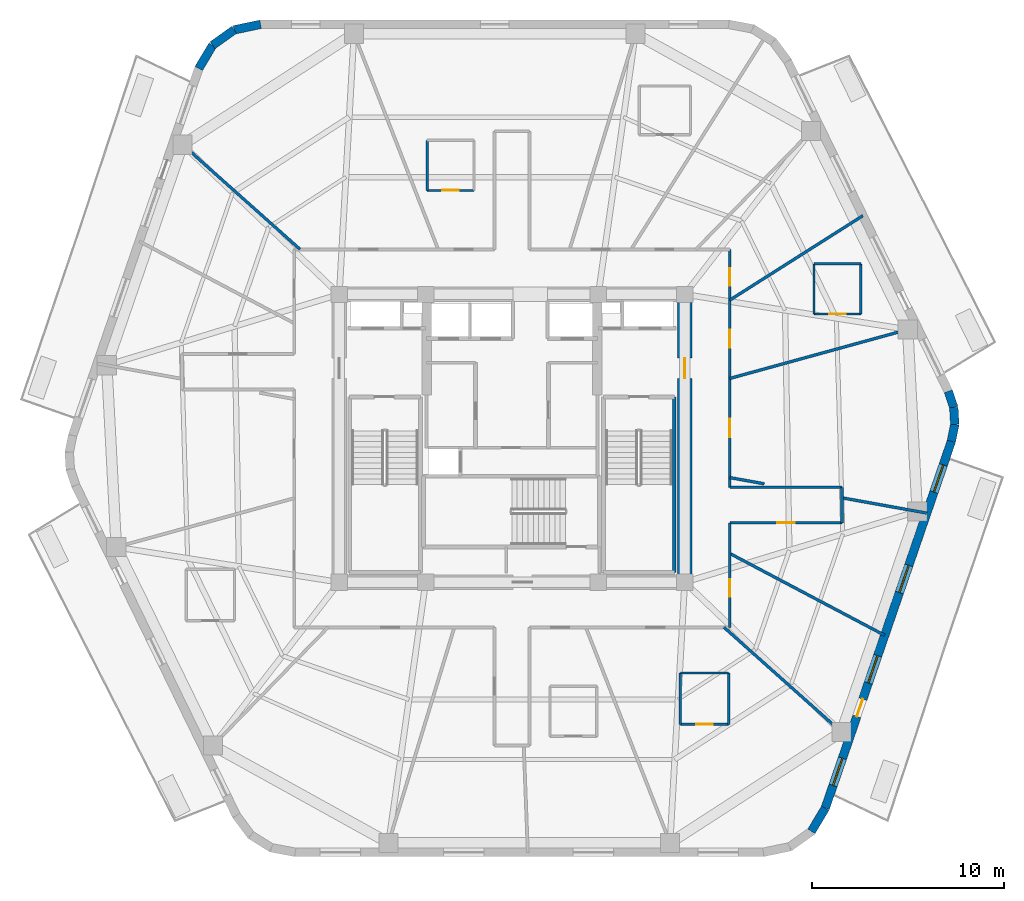
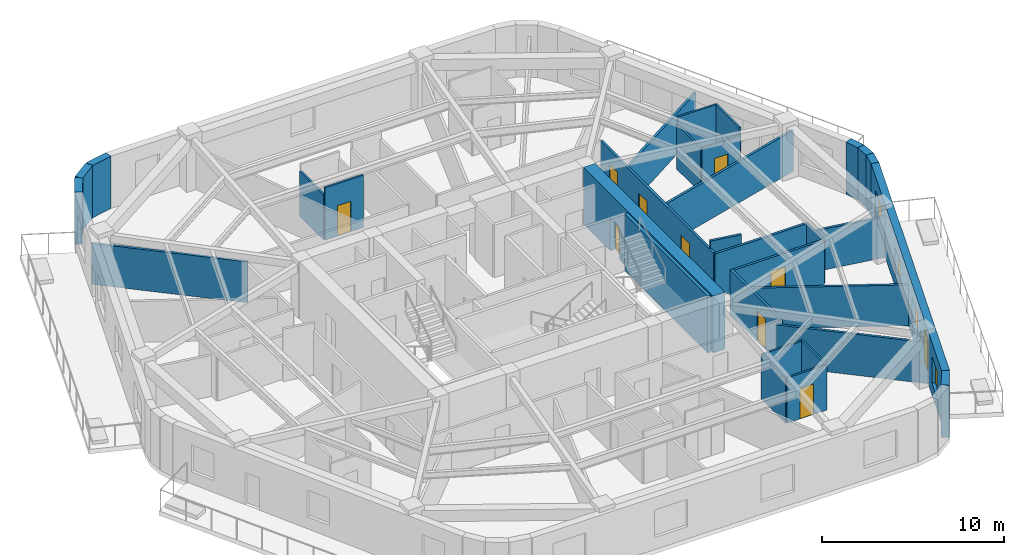
# One storey, part 5 of 9: 32 walls, 10 doors, 4 windows, 14 openings.
"""IFC4 building model written with IfcOpenShell, lengths in metres."""

from ifc_helpers import new_model, si_unit, direction, frame, frame_2d, origin, place, context, subcontext, project, spatial, rectangle, extrude, material, layer, layer_set, type_object, element, fill, save


model = new_model("IFC4")

# Units and contexts
model_context = context("Model", 3, precision=1e-05, world=origin(), true_north=direction((0.0, 1.0)))
body_context = subcontext(model_context, "Body", "Model", "MODEL_VIEW")
ifc_project = project(units=[si_unit("LENGTHUNIT", "METRE"), si_unit("AREAUNIT", "SQUARE_METRE"), si_unit("VOLUMEUNIT", "CUBIC_METRE"), si_unit("PLANEANGLEUNIT", "RADIAN"), si_unit("MASSUNIT", "GRAM", prefix="KILO")], contexts=[model_context])

# Site, building, storey
site_placement = place(None, origin())
site = spatial("IfcSite", under=ifc_project, at=site_placement, CompositionType="ELEMENT")
building_placement = place(site_placement, origin())
building = spatial("IfcBuilding", under=site, at=building_placement, Name="Kilnhurst Terrace Hotel", CompositionType="ELEMENT")
storey_placement = place(building_placement, frame((0.0, 0.0, 236.89990234375)))
storey = spatial("IfcBuildingStorey", under=building, at=storey_placement, Name="L59", CompositionType="ELEMENT", Elevation=236.89990234375)

# Walls
ifc_material_1 = material(Name="Precast concrete C40/50", Category="concrete")
ifc_layer_1 = layer(ifc_material_1, 0.449951171875, Name="Precast concrete C40/50")
ifc_layer_set_1 = layer_set([ifc_layer_1], Name="Precast concrete C40/50")
wall_type_1 = type_object("IfcWallType", Name="WL-BRK-450", PredefinedType="SOLIDWALL", material=ifc_layer_set_1)
wall_1_placement = place(storey_placement, frame((15.603515625, -20.483154296875, 0.0), z_axis=(0.0, 0.0, 1.0), x_axis=(0.512222149036, 0.858852996756, 0.0)))
element("IfcWall", 1, at=wall_1_placement, inside=storey, type_object=wall_type_1, Name="L59 Rounded Corner Brick Wall C2.3", PredefinedType="SOLIDWALL", context=body_context, shape_type="SweptSolid", body=[
    extrude(rectangle(XDim=1.406494140625, YDim=0.449951171875, at=frame_2d((0.703125, 0.0))), origin(), (0.0, 0.0, 1.0), 3.5),
])
wall_2_placement = place(storey_placement, frame((22.8984375, -0.149658203125, 0.0), z_axis=(0.0, 0.0, 1.0), x_axis=(0.199055826889, 0.979988151858, 0.0)))
element("IfcWall", 2, at=wall_2_placement, inside=storey, type_object=wall_type_1, Name="L59 Rounded Corner Brick Wall C3.1", PredefinedType="SOLIDWALL", context=body_context, shape_type="SweptSolid", body=[
    extrude(rectangle(XDim=0.89404296875, YDim=0.449951171875, at=frame_2d((0.447021484375, 0.0))), origin(), (0.0, 0.0, 1.0), 3.5),
])
wall_3_placement = place(storey_placement, frame((23.076416015625, 0.7265625, 0.0), z_axis=(0.0, 0.0, 1.0), x_axis=(-0.060805222108, 0.998149650586, 0.0)))
element("IfcWall", 3, at=wall_3_placement, inside=storey, type_object=wall_type_1, Name="L59 Rounded Corner Brick Wall C3.2", PredefinedType="SOLIDWALL", context=body_context, shape_type="SweptSolid", body=[
    extrude(rectangle(XDim=0.87939453125, YDim=0.449951171875, at=frame_2d((0.439697265625, 0.0))), origin(), (0.0, 0.0, 1.0), 3.5),
])
wall_4_placement = place(storey_placement, frame((23.02294921875, 1.604248046875, 0.0), z_axis=(0.0, 0.0, 1.0), x_axis=(-0.316801227695, 0.948491951537, 0.0)))
element("IfcWall", 4, at=wall_4_placement, inside=storey, type_object=wall_type_1, Name="L59 Rounded Corner Brick Wall C3.3", PredefinedType="SOLIDWALL", context=body_context, shape_type="SweptSolid", body=[
    extrude(rectangle(XDim=0.89404296875, YDim=0.449951171875, at=frame_2d((0.447021484375, 0.0))), origin(), (0.0, 0.0, 1.0), 3.5),
])
wall_5_placement = place(storey_placement, frame((-13.1015625, 21.574951171875, 0.0), z_axis=(0.0, 0.0, 1.0), x_axis=(-0.978757421505, -0.205021730188, 0.0)))
element("IfcWall", 5, at=wall_5_placement, inside=storey, type_object=wall_type_1, Name="L59 Rounded Corner Brick Wall C5.1", PredefinedType="SOLIDWALL", context=body_context, shape_type="SweptSolid", body=[
    extrude(rectangle(XDim=1.40625, YDim=0.449951171875, at=frame_2d((0.703125, 0.0))), origin(), (0.0, 0.0, 1.0), 3.5),
])
wall_6_placement = place(storey_placement, frame((-14.47802734375, 21.28662109375, 0.0), z_axis=(0.0, 0.0, 1.0), x_axis=(-0.813888518617, -0.58102106611, 0.0)))
element("IfcWall", 6, at=wall_6_placement, inside=storey, type_object=wall_type_1, Name="L59 Rounded Corner Brick Wall C5.2", PredefinedType="SOLIDWALL", context=body_context, shape_type="SweptSolid", body=[
    extrude(rectangle(XDim=1.3828125, YDim=0.449951171875, at=frame_2d((0.69140625, 0.0))), origin(), (0.0, 0.0, 1.0), 3.5),
])
wall_7_placement = place(storey_placement, frame((-15.603515625, 20.483154296875, 0.0), z_axis=(0.0, 0.0, 1.0), x_axis=(-0.512222149036, -0.858852996756, 0.0)))
element("IfcWall", 7, at=wall_7_placement, inside=storey, type_object=wall_type_1, Name="L59 Rounded Corner Brick Wall C5.3", PredefinedType="SOLIDWALL", context=body_context, shape_type="SweptSolid", body=[
    extrude(rectangle(XDim=1.406494140625, YDim=0.449951171875, at=frame_2d((0.703125, 0.0))), origin(), (0.0, 0.0, 1.0), 3.5),
])

# Wall, openings, door, windows
wall_8_placement = place(storey_placement, frame((16.323974609375, -19.275146484375, 0.0), z_axis=(0.0, 0.0, 1.0), x_axis=(0.325083142304, 0.945685439557, 0.0)))
wall_8 = element("IfcWall", 8, at=wall_8_placement, inside=storey, type_object=wall_type_1, Name="L59 Exterior Brick Facade Wall F2", PredefinedType="SOLIDWALL", context=body_context, shape_type="SweptSolid", body=[
    extrude(rectangle(XDim=20.223876953125, YDim=0.449951171875, at=frame_2d((10.11181640625, 0.0))), origin(), (0.0, 0.0, 1.0), 3.5),
])
opening_1_placement = place(wall_8_placement, frame((5.06201171875, 0.0, 0.0)))
opening_1 = element("IfcOpeningElement", 9, at=opening_1_placement, cuts=wall_8, Name="Opening BD-950", PredefinedType="OPENING", context=body_context, shape_type="SweptSolid", body=[
    extrude(rectangle(XDim=0.949951171875, YDim=2.14990234375, at=frame_2d((0.47509765625, 1.074951171875))), frame((0.0, 0.23486328125, 0.0), z_axis=(0.0, -1.0, 0.0), x_axis=(1.0, 0.0, 0.0)), (0.0, 0.0, 1.0), 0.469970703125),
])
opening_2_placement = place(wall_8_placement, frame((1.2529296875, 0.0, 0.800048828125)))
opening_2 = element("IfcOpeningElement", 10, at=opening_2_placement, cuts=wall_8, Name="Opening W-02", PredefinedType="OPENING", context=body_context, shape_type="SweptSolid", body=[
    extrude(rectangle(XDim=1.5, YDim=1.800048828125, at=frame_2d((0.75, 0.89990234375))), frame((0.0, 0.23486328125, 0.0), z_axis=(0.0, -1.0, 0.0), x_axis=(1.0, 0.0, 0.0)), (0.0, 0.0, 1.0), 0.469970703125),
])
opening_3_placement = place(wall_8_placement, frame((6.904052734375, 0.0, 0.800048828125)))
opening_3 = element("IfcOpeningElement", 11, at=opening_3_placement, cuts=wall_8, Name="Opening W-02", PredefinedType="OPENING", context=body_context, shape_type="SweptSolid", body=[
    extrude(rectangle(XDim=1.5, YDim=1.800048828125, at=frame_2d((0.75, 0.89990234375))), frame((0.0, 0.23486328125, 0.0), z_axis=(0.0, -1.0, 0.0), x_axis=(1.0, 0.0, 0.0)), (0.0, 0.0, 1.0), 0.469970703125),
])
opening_4_placement = place(wall_8_placement, frame((11.885009765625, 0.0, 0.800048828125)))
opening_4 = element("IfcOpeningElement", 12, at=opening_4_placement, cuts=wall_8, Name="Opening W-02", PredefinedType="OPENING", context=body_context, shape_type="SweptSolid", body=[
    extrude(rectangle(XDim=1.5, YDim=1.800048828125, at=frame_2d((0.75, 0.89990234375))), frame((0.0, 0.23486328125, 0.0), z_axis=(0.0, -1.0, 0.0), x_axis=(1.0, 0.0, 0.0)), (0.0, 0.0, 1.0), 0.469970703125),
])
opening_5_placement = place(wall_8_placement, frame((17.41796875, 0.0, 0.800048828125)))
opening_5 = element("IfcOpeningElement", 13, at=opening_5_placement, cuts=wall_8, Name="Opening W-02", PredefinedType="OPENING", context=body_context, shape_type="SweptSolid", body=[
    extrude(rectangle(XDim=1.5, YDim=1.800048828125, at=frame_2d((0.75, 0.89990234375))), frame((0.0, 0.23486328125, 0.0), z_axis=(0.0, -1.0, 0.0), x_axis=(1.0, 0.0, 0.0)), (0.0, 0.0, 1.0), 0.469970703125),
])
ifc_material_2 = material(Name="Thermally Broken Bronze Aluminium Alloy 6063-T6 and Laminated Glass", Category="aluminium")
door_type_1 = type_object("IfcDoorType", Name="DR-EXT-BAL-950", OperationType="NOTDEFINED", PredefinedType="DOOR", material=ifc_material_2)
door_1_placement = place(opening_1_placement, origin())
door_1 = element("IfcDoor", 14, at=door_1_placement, inside=storey, type_object=door_type_1, Name="L59 Planted Balcony Door BAL-L1A", OperationType="SINGLE_SWING_RIGHT", OverallHeight=2.14990234375, OverallWidth=0.949951171875, PredefinedType="DOOR", context=body_context, shape_type="SweptSolid", body=[
    extrude(rectangle(XDim=0.949951171875, YDim=2.14990234375, at=frame_2d((0.47509765625, 1.074951171875))), frame((0.0, 0.02490234375, 0.0), z_axis=(0.0, -1.0, 0.0), x_axis=(1.0, 0.0, 0.0)), (0.0, 0.0, 1.0), 0.050048828125),
])
fill(opening_1, door_1)
ifc_material_3 = material(Name="Thermally Broken Bronze Aluminium Alloy 6063-T6 and Low-E Glass", Category="aluminium")
window_type = type_object("IfcWindowType", Name="WIN-1500X1800", PartitioningType="SINGLE_PANEL", PredefinedType="WINDOW", material=ifc_material_3)
window_1_placement = place(opening_2_placement, origin())
window_1 = element("IfcWindow", 15, at=window_1_placement, inside=storey, type_object=window_type, Name="L59 Deep-Set Masonry Window F2.1", OverallHeight=1.800048828125, OverallWidth=1.5, PartitioningType="SINGLE_PANEL", PredefinedType="WINDOW", context=body_context, shape_type="SweptSolid", body=[
    extrude(rectangle(XDim=1.5, YDim=1.800048828125, at=frame_2d((0.75, 0.89990234375))), frame((0.0, 0.030029296875, 0.0), z_axis=(0.0, -1.0, 0.0), x_axis=(1.0, 0.0, 0.0)), (0.0, 0.0, 1.0), 0.06005859375),
])
fill(opening_2, window_1)
window_2_placement = place(opening_3_placement, origin())
window_2 = element("IfcWindow", 16, at=window_2_placement, inside=storey, type_object=window_type, Name="L59 Deep-Set Masonry Window F2.2", OverallHeight=1.800048828125, OverallWidth=1.5, PartitioningType="SINGLE_PANEL", PredefinedType="WINDOW", context=body_context, shape_type="SweptSolid", body=[
    extrude(rectangle(XDim=1.5, YDim=1.800048828125, at=frame_2d((0.75, 0.89990234375))), frame((0.0, 0.030029296875, 0.0), z_axis=(0.0, -1.0, 0.0), x_axis=(1.0, 0.0, 0.0)), (0.0, 0.0, 1.0), 0.06005859375),
])
fill(opening_3, window_2)
window_3_placement = place(opening_4_placement, origin())
window_3 = element("IfcWindow", 17, at=window_3_placement, inside=storey, type_object=window_type, Name="L59 Deep-Set Masonry Window F2.3", OverallHeight=1.800048828125, OverallWidth=1.5, PartitioningType="SINGLE_PANEL", PredefinedType="WINDOW", context=body_context, shape_type="SweptSolid", body=[
    extrude(rectangle(XDim=1.5, YDim=1.800048828125, at=frame_2d((0.75, 0.89990234375))), frame((0.0, 0.030029296875, 0.0), z_axis=(0.0, -1.0, 0.0), x_axis=(1.0, 0.0, 0.0)), (0.0, 0.0, 1.0), 0.06005859375),
])
fill(opening_4, window_3)
window_4_placement = place(opening_5_placement, origin())
window_4 = element("IfcWindow", 18, at=window_4_placement, inside=storey, type_object=window_type, Name="L59 Deep-Set Masonry Window F2.4", OverallHeight=1.800048828125, OverallWidth=1.5, PartitioningType="SINGLE_PANEL", PredefinedType="WINDOW", context=body_context, shape_type="SweptSolid", body=[
    extrude(rectangle(XDim=1.5, YDim=1.800048828125, at=frame_2d((0.75, 0.89990234375))), frame((0.0, 0.030029296875, 0.0), z_axis=(0.0, -1.0, 0.0), x_axis=(1.0, 0.0, 0.0)), (0.0, 0.0, 1.0), 0.06005859375),
])
fill(opening_5, window_4)

# Wall, openings, doors
ifc_material_4 = material(Name="Acoustic Double-Gypsum Corridor Partition Assembly")
ifc_layer_2 = layer(ifc_material_4, 0.14990234375, Name="Acoustic Double-Gypsum Corridor Partition Assembly")
ifc_layer_set_2 = layer_set([ifc_layer_2], Name="Acoustic Double-Gypsum Corridor Partition Assembly")
wall_type_2 = type_object("IfcWallType", Name="WL-COR-150", PredefinedType="PARTITIONING", material=ifc_layer_set_2)
wall_9_placement = place(storey_placement, frame((11.35009765625, 9.85009765625, 0.0), z_axis=(0.0, 0.0, 1.0), x_axis=(0.0, -1.0, 0.0)))
wall_9 = element("IfcWall", 19, at=wall_9_placement, inside=storey, type_object=wall_type_2, Name="L59 Interior Wall WL-L59-COR-11", PredefinedType="PARTITIONING", context=body_context, shape_type="SweptSolid", body=[
    extrude(rectangle(XDim=12.400146484375, YDim=0.14990234375, at=frame_2d((6.2001953125, 0.0))), origin(), (0.0, 0.0, 1.0), 2.989990234375),
])
opening_6_placement = place(wall_9_placement, frame((4.19091796875, 0.0, 0.0)))
opening_6 = element("IfcOpeningElement", 20, at=opening_6_placement, cuts=wall_9, Name="Opening D-60B", PredefinedType="OPENING", context=body_context, shape_type="SweptSolid", body=[
    extrude(rectangle(XDim=0.949951171875, YDim=2.030029296875, at=frame_2d((0.47509765625, 1.01513671875))), frame((0.0, 0.0849609375, 0.0), z_axis=(0.0, -1.0, 0.0), x_axis=(1.0, 0.0, 0.0)), (0.0, 0.0, 1.0), 0.169921875),
])
opening_7_placement = place(wall_9_placement, frame((0.993896484375, 0.0, 0.0)))
opening_7 = element("IfcOpeningElement", 21, at=opening_7_placement, cuts=wall_9, Name="Opening D-60C", PredefinedType="OPENING", context=body_context, shape_type="SweptSolid", body=[
    extrude(rectangle(XDim=0.89990234375, YDim=2.030029296875, at=frame_2d((0.449951171875, 1.01513671875))), frame((0.0, 0.0849609375, 0.0), z_axis=(0.0, -1.0, 0.0), x_axis=(1.0, 0.0, 0.0)), (0.0, 0.0, 1.0), 0.169921875),
])
opening_8_placement = place(wall_9_placement, frame((8.8349609375, 0.0, 0.0)))
opening_8 = element("IfcOpeningElement", 22, at=opening_8_placement, cuts=wall_9, Name="Opening D-60B", PredefinedType="OPENING", context=body_context, shape_type="SweptSolid", body=[
    extrude(rectangle(XDim=0.949951171875, YDim=2.030029296875, at=frame_2d((0.47509765625, 1.01513671875))), frame((0.0, 0.0849609375, 0.0), z_axis=(0.0, -1.0, 0.0), x_axis=(1.0, 0.0, 0.0)), (0.0, 0.0, 1.0), 0.169921875),
])
ifc_material_5 = material(Name="Painted Solid-Core Service Fire Door")
door_type_2 = type_object("IfcDoorType", Name="DR-FD60-900", OperationType="NOTDEFINED", PredefinedType="DOOR", material=ifc_material_5)
door_2_placement = place(opening_7_placement, origin())
door_2 = element("IfcDoor", 23, at=door_2_placement, inside=storey, type_object=door_type_2, Name="L59 Private Study Salon Door 2", OperationType="SINGLE_SWING_RIGHT", OverallHeight=2.030029296875, OverallWidth=0.89990234375, PredefinedType="DOOR", context=body_context, shape_type="SweptSolid", body=[
    extrude(rectangle(XDim=0.89990234375, YDim=2.030029296875, at=frame_2d((0.449951171875, 1.01513671875))), frame((0.0, 0.02490234375, 0.0), z_axis=(0.0, -1.0, 0.0), x_axis=(1.0, 0.0, 0.0)), (0.0, 0.0, 1.0), 0.050048828125),
])
fill(opening_7, door_2)
ifc_material_6 = material(Name="Acoustic Walnut Veneer Solid-Core Fire Door")
door_type_3 = type_object("IfcDoorType", Name="DR-FD60-950", OperationType="NOTDEFINED", PredefinedType="DOOR", material=ifc_material_6)
door_3_placement = place(opening_6_placement, origin())
door_3 = element("IfcDoor", 24, at=door_3_placement, inside=storey, type_object=door_type_3, Name="L59 Guest Room Entry Door 1", OperationType="SINGLE_SWING_LEFT", OverallHeight=2.030029296875, OverallWidth=0.949951171875, PredefinedType="DOOR", context=body_context, shape_type="SweptSolid", body=[
    extrude(rectangle(XDim=0.949951171875, YDim=2.030029296875, at=frame_2d((0.47509765625, 1.01513671875))), frame((0.0, 0.02490234375, 0.0), z_axis=(0.0, -1.0, 0.0), x_axis=(1.0, 0.0, 0.0)), (0.0, 0.0, 1.0), 0.050048828125),
])
fill(opening_6, door_3)
door_4_placement = place(opening_8_placement, origin())
door_4 = element("IfcDoor", 25, at=door_4_placement, inside=storey, type_object=door_type_3, Name="L59 Wellness Spa Room Door", OperationType="SINGLE_SWING_LEFT", OverallHeight=2.030029296875, OverallWidth=0.949951171875, PredefinedType="DOOR", context=body_context, shape_type="SweptSolid", body=[
    extrude(rectangle(XDim=0.949951171875, YDim=2.030029296875, at=frame_2d((0.47509765625, 1.01513671875))), frame((0.0, 0.02490234375, 0.0), z_axis=(0.0, -1.0, 0.0), x_axis=(1.0, 0.0, 0.0)), (0.0, 0.0, 1.0), 0.050048828125),
])
fill(opening_8, door_4)

# Walls
wall_10_placement = place(storey_placement, frame((11.35009765625, -2.550048828125, 0.0), z_axis=(0.0, 0.0, 1.0), x_axis=(1.0, 0.0, 0.0)))
element("IfcWall", 26, at=wall_10_placement, inside=storey, type_object=wall_type_2, Name="L59 Interior Wall WL-L59-COR-12", PredefinedType="PARTITIONING", context=body_context, shape_type="SweptSolid", body=[
    extrude(rectangle(XDim=5.849853515625, YDim=0.14990234375, at=frame_2d((2.9248046875, 0.0))), origin(), (0.0, 0.0, 1.0), 2.940673828125),
])
wall_11_placement = place(storey_placement, frame((17.199951171875, -2.550048828125, 0.0), z_axis=(0.0, 0.0, 1.0), x_axis=(0.0, -1.0, 0.0)))
element("IfcWall", 27, at=wall_11_placement, inside=storey, type_object=wall_type_2, Name="L59 Interior Wall WL-L59-COR-13", PredefinedType="PARTITIONING", context=body_context, shape_type="SweptSolid", body=[
    extrude(rectangle(XDim=1.849853515625, YDim=0.14990234375, at=frame_2d((0.9248046875, 0.0))), origin(), (0.0, 0.0, 1.0), 2.940673828125),
])

# Wall, opening, door
wall_12_placement = place(storey_placement, frame((17.199951171875, -4.39990234375, 0.0), z_axis=(0.0, 0.0, 1.0), x_axis=(-1.0, 0.0, 0.0)))
wall_12 = element("IfcWall", 28, at=wall_12_placement, inside=storey, type_object=wall_type_2, Name="L59 Interior Wall WL-L59-COR-14", PredefinedType="PARTITIONING", context=body_context, shape_type="SweptSolid", body=[
    extrude(rectangle(XDim=5.849853515625, YDim=0.14990234375, at=frame_2d((2.9248046875, 0.0))), origin(), (0.0, 0.0, 1.0), 2.940673828125),
])
opening_9_placement = place(wall_12_placement, frame((2.47509765625, 0.0, 0.0)))
opening_9 = element("IfcOpeningElement", 29, at=opening_9_placement, cuts=wall_12, Name="Opening D-60C", PredefinedType="OPENING", context=body_context, shape_type="SweptSolid", body=[
    extrude(rectangle(XDim=0.89990234375, YDim=2.030029296875, at=frame_2d((0.449951171875, 1.01513671875))), frame((0.0, 0.0849609375, 0.0), z_axis=(0.0, -1.0, 0.0), x_axis=(1.0, 0.0, 0.0)), (0.0, 0.0, 1.0), 0.169921875),
])
door_5_placement = place(opening_9_placement, origin())
door_5 = element("IfcDoor", 30, at=door_5_placement, inside=storey, type_object=door_type_2, Name="L59 Executive Work Office Door 16", OperationType="SINGLE_SWING_RIGHT", OverallHeight=2.030029296875, OverallWidth=0.89990234375, PredefinedType="DOOR", context=body_context, shape_type="SweptSolid", body=[
    extrude(rectangle(XDim=0.89990234375, YDim=2.030029296875, at=frame_2d((0.449951171875, 1.01513671875))), frame((0.0, 0.02490234375, 0.0), z_axis=(0.0, -1.0, 0.0), x_axis=(1.0, 0.0, 0.0)), (0.0, 0.0, 1.0), 0.050048828125),
])
fill(opening_9, door_5)

wall_13_placement = place(storey_placement, frame((11.35009765625, -4.39990234375, 0.0), z_axis=(0.0, 0.0, 1.0), x_axis=(0.0, -1.0, 0.0)))
wall_13 = element("IfcWall", 31, at=wall_13_placement, inside=storey, type_object=wall_type_2, Name="L59 Interior Wall WL-L59-COR-15", PredefinedType="PARTITIONING", context=body_context, shape_type="SweptSolid", body=[
    extrude(rectangle(XDim=5.4501953125, YDim=0.14990234375, at=frame_2d((2.72509765625, 0.0))), origin(), (0.0, 0.0, 1.0), 2.989990234375),
])
opening_10_placement = place(wall_13_placement, frame((2.955078125, 0.0, 0.0)))
opening_10 = element("IfcOpeningElement", 32, at=opening_10_placement, cuts=wall_13, Name="Opening D-60C", PredefinedType="OPENING", context=body_context, shape_type="SweptSolid", body=[
    extrude(rectangle(XDim=0.89990234375, YDim=2.030029296875, at=frame_2d((0.449951171875, 1.01513671875))), frame((0.0, 0.0849609375, 0.0), z_axis=(0.0, -1.0, 0.0), x_axis=(1.0, 0.0, 0.0)), (0.0, 0.0, 1.0), 0.169921875),
])
door_6_placement = place(opening_10_placement, origin())
door_6 = element("IfcDoor", 33, at=door_6_placement, inside=storey, type_object=door_type_2, Name="L59 Private Tasting Dining Room Door 15", OperationType="SINGLE_SWING_LEFT", OverallHeight=2.030029296875, OverallWidth=0.89990234375, PredefinedType="DOOR", context=body_context, shape_type="SweptSolid", body=[
    extrude(rectangle(XDim=0.89990234375, YDim=2.030029296875, at=frame_2d((0.449951171875, 1.01513671875))), frame((0.0, 0.02490234375, 0.0), z_axis=(0.0, -1.0, 0.0), x_axis=(1.0, 0.0, 0.0)), (0.0, 0.0, 1.0), 0.050048828125),
])
fill(opening_10, door_6)

ifc_material_7 = material(Name="Concrete C60/75", Category="concrete")
ifc_layer_3 = layer(ifc_material_7, 0.75, Name="Concrete C60/75")
ifc_layer_set_3 = layer_set([ifc_layer_3], Name="Concrete C60/75")
wall_type_3 = type_object("IfcWallType", Name="WL-CORE-750", PredefinedType="SHEAR", material=ifc_layer_set_3)
wall_14_placement = place(storey_placement, frame((9.0, -7.125, 0.0), z_axis=(0.0, 0.0, 1.0), x_axis=(0.0, 1.0, 0.0)))
wall_14 = element("IfcWall", 34, at=wall_14_placement, inside=storey, type_object=wall_type_3, Name="L59 Core East Shear Wall", PredefinedType="SHEAR", context=body_context, shape_type="SweptSolid", body=[
    extrude(rectangle(XDim=14.25, YDim=0.75, at=frame_2d((7.125, 0.0))), origin(), (0.0, 0.0, 1.0), 3.800048828125),
])
opening_11_placement = place(wall_14_placement, frame((10.25, 0.0, 0.0)))
opening_11 = element("IfcOpeningElement", 35, at=opening_11_placement, cuts=wall_14, Name="Opening D-90A", PredefinedType="OPENING", context=body_context, shape_type="SweptSolid", body=[
    extrude(rectangle(XDim=1.050048828125, YDim=2.14990234375, at=frame_2d((0.52490234375, 1.074951171875))), frame((0.0, 0.385009765625, 0.0), z_axis=(0.0, -1.0, 0.0), x_axis=(1.0, 0.0, 0.0)), (0.0, 0.0, 1.0), 0.77001953125),
])
ifc_material_8 = material(Name="Painted Hollow Metal Steel ASTM A36 Fire Door", Category="steel")
door_type_4 = type_object("IfcDoorType", Name="DR-FD90-1050", OperationType="NOTDEFINED", PredefinedType="DOOR", material=ifc_material_8)
door_7_placement = place(opening_11_placement, origin())
door_7 = element("IfcDoor", 36, at=door_7_placement, inside=storey, type_object=door_type_4, Name="L59 East Firefighting Lobby Door", OperationType="SINGLE_SWING_LEFT", OverallHeight=2.14990234375, OverallWidth=1.050048828125, PredefinedType="DOOR", context=body_context, shape_type="SweptSolid", body=[
    extrude(rectangle(XDim=1.050048828125, YDim=2.14990234375, at=frame_2d((0.52490234375, 1.074951171875))), frame((0.0, 0.02490234375, 0.0), z_axis=(0.0, -1.0, 0.0), x_axis=(1.0, 0.0, 0.0)), (0.0, 0.0, 1.0), 0.050048828125),
])
fill(opening_11, door_7)

# Walls
ifc_material_9 = material(Name="STC-58 Acoustic Twin-Frame Guestroom Demising Partition")
ifc_layer_4 = layer(ifc_material_9, 0.14990234375, Name="STC-58 Acoustic Twin-Frame Guestroom Demising Partition")
ifc_layer_set_4 = layer_set([ifc_layer_4], Name="STC-58 Acoustic Twin-Frame Guestroom Demising Partition")
wall_type_4 = type_object("IfcWallType", Name="WL-DEM-150", PredefinedType="PARTITIONING", material=ifc_layer_set_4)
wall_15_placement = place(storey_placement, frame((11.35009765625, 3.12060546875, 0.0), z_axis=(0.0, 0.0, 1.0), x_axis=(0.964212793822, 0.265129568758, 0.0)))
element("IfcWall", 37, at=wall_15_placement, inside=storey, type_object=wall_type_4, Name="L59 Interior Wall WL-L59-DEM-COL01-01-1", PredefinedType="PARTITIONING", context=body_context, shape_type="SweptSolid", body=[
    extrude(rectangle(XDim=10.119873046875, YDim=0.14990234375, at=frame_2d((5.06005859375, 0.0))), origin(), (0.0, 0.0, 1.0), 2.739990234375),
])
wall_16_placement = place(storey_placement, frame((11.35009765625, 7.2021484375, 0.0), z_axis=(0.0, 0.0, 1.0), x_axis=(0.844364592263, 0.535769013039, 0.0)))
element("IfcWall", 38, at=wall_16_placement, inside=storey, type_object=wall_type_4, Name="L59 Interior Wall WL-L59-DEM-MID01-02-1", PredefinedType="PARTITIONING", context=body_context, shape_type="SweptSolid", body=[
    extrude(rectangle(XDim=8.212646484375, YDim=0.14990234375, at=frame_2d((4.1064453125, 0.0))), origin(), (0.0, 0.0, 1.0), 2.739990234375),
])
for number, where, z_axis, x_axis, name in (
    (39, (-11.04833984375, 9.85009765625, 0.0), (0.0, 0.0, 1.0), (-0.746444434655, 0.665447748492, 0.0), "L59 Interior Wall WL-L59-DEM-COL05-07-1"),
    (40, (11.04833984375, -9.85009765625, 0.0), (0.0, 0.0, 1.0), (0.746444434655, -0.665447748492, 0.0), "L59 Interior Wall WL-L59-DEM-COL11-15-1"),
):
    element("IfcWall", number, at=place(storey_placement, frame(where, z_axis=z_axis, x_axis=x_axis)), inside=storey, type_object=wall_type_4, Name=name, PredefinedType="PARTITIONING", context=body_context, shape_type="SweptSolid", body=[
        extrude(rectangle(XDim=8.732177734375, YDim=0.14990234375, at=frame_2d((4.3662109375, 0.0))), origin(), (0.0, 0.0, 1.0), 2.739990234375),
    ])
wall_17_placement = place(storey_placement, frame((11.35009765625, -5.9990234375, 0.0), z_axis=(0.0, 0.0, 1.0), x_axis=(0.884112301724, -0.467274478161, 0.0)))
element("IfcWall", 41, at=wall_17_placement, inside=storey, type_object=wall_type_4, Name="L59 Interior Wall WL-L59-DEM-MID11-16-1", PredefinedType="PARTITIONING", context=body_context, shape_type="SweptSolid", body=[
    extrude(rectangle(XDim=9.129150390625, YDim=0.14990234375, at=frame_2d((4.564453125, 0.0))), origin(), (0.0, 0.0, 1.0), 2.739990234375),
])
wall_18_placement = place(storey_placement, frame((11.35009765625, -2.046142578125, 0.0), z_axis=(0.0, 0.0, 1.0), x_axis=(0.984127783205, -0.177461281195, 0.0)))
element("IfcWall", 42, at=wall_18_placement, inside=storey, type_object=wall_type_4, Name="L59 Interior Wall WL-L59-DEM-COL12-17-1", PredefinedType="PARTITIONING", context=body_context, shape_type="SweptSolid", body=[
    extrude(rectangle(XDim=1.82568359375, YDim=0.14990234375, at=frame_2d((0.912841796875, 0.0))), origin(), (0.0, 0.0, 1.0), 3.5),
])
wall_19_placement = place(storey_placement, frame((17.199951171875, -3.1005859375, 0.0), z_axis=(0.0, 0.0, 1.0), x_axis=(0.98413465883, -0.177423147559, 0.0)))
element("IfcWall", 43, at=wall_19_placement, inside=storey, type_object=wall_type_4, Name="L59 Interior Wall WL-L59-DEM-COL12-17-2", PredefinedType="PARTITIONING", context=body_context, shape_type="SweptSolid", body=[
    extrude(rectangle(XDim=4.481689453125, YDim=0.14990234375, at=frame_2d((2.24072265625, 0.0))), origin(), (0.0, 0.0, 1.0), 2.739990234375),
])

# Wall, opening, door
ifc_material_10 = material(Name="120 mm Moisture-Resistant Tile-Backed Bathroom Partition")
ifc_layer_5 = layer(ifc_material_10, 0.1201171875, Name="120 mm Moisture-Resistant Tile-Backed Bathroom Partition")
ifc_layer_set_5 = layer_set([ifc_layer_5], Name="120 mm Moisture-Resistant Tile-Backed Bathroom Partition")
wall_type_5 = type_object("IfcWallType", Name="WL-PART-120", PredefinedType="PARTITIONING", material=ifc_layer_set_5)
wall_20_placement = place(storey_placement, frame((15.736083984375, 6.47998046875, 0.0), z_axis=(0.0, 0.0, 1.0), x_axis=(1.0, 0.0, 0.0)))
wall_20 = element("IfcWall", 44, at=wall_20_placement, inside=storey, type_object=wall_type_5, Name="L59 Interior Wall WL-L59-BTH-01-1", PredefinedType="PARTITIONING", context=body_context, shape_type="SweptSolid", body=[
    extrude(rectangle(XDim=2.43994140625, YDim=0.1201171875, at=frame_2d((1.219970703125, 0.0))), origin(), (0.0, 0.0, 1.0), 2.989990234375),
])
opening_12_placement = place(wall_20_placement, frame((0.794921875, 0.0, 0.0)))
opening_12 = element("IfcOpeningElement", 45, at=opening_12_placement, cuts=wall_20, Name="Opening D-08A", PredefinedType="OPENING", context=body_context, shape_type="SweptSolid", body=[
    extrude(rectangle(XDim=0.85009765625, YDim=2.030029296875, at=frame_2d((0.425048828125, 1.01513671875))), frame((0.0, 0.070068359375, 0.0), z_axis=(0.0, -1.0, 0.0), x_axis=(1.0, 0.0, 0.0)), (0.0, 0.0, 1.0), 0.14013671875),
])
ifc_material_11 = material(Name="Moisture-Resistant Lacquered En-suite Bathroom Door")
door_type_5 = type_object("IfcDoorType", Name="DR-INT-850", OperationType="NOTDEFINED", PredefinedType="DOOR", material=ifc_material_11)
door_8_placement = place(opening_12_placement, origin())
door_8 = element("IfcDoor", 46, at=door_8_placement, inside=storey, type_object=door_type_5, Name="L59 En-suite Bathroom Door 1", OperationType="SINGLE_SWING_RIGHT", OverallHeight=2.030029296875, OverallWidth=0.85009765625, PredefinedType="DOOR", context=body_context, shape_type="SweptSolid", body=[
    extrude(rectangle(XDim=0.85009765625, YDim=2.030029296875, at=frame_2d((0.425048828125, 1.01513671875))), frame((0.0, 0.02490234375, 0.0), z_axis=(0.0, -1.0, 0.0), x_axis=(1.0, 0.0, 0.0)), (0.0, 0.0, 1.0), 0.050048828125),
])
fill(opening_12, door_8)

# Walls
wall_21_placement = place(storey_placement, frame((18.176025390625, 6.47998046875, 0.0), z_axis=(0.0, 0.0, 1.0), x_axis=(0.0, 1.0, 0.0)))
element("IfcWall", 47, at=wall_21_placement, inside=storey, type_object=wall_type_5, Name="L59 Interior Wall WL-L59-BTH-01-2", PredefinedType="PARTITIONING", context=body_context, shape_type="SweptSolid", body=[
    extrude(rectangle(XDim=2.610107421875, YDim=0.1201171875, at=frame_2d((1.30517578125, 0.0))), origin(), (0.0, 0.0, 1.0), 3.5),
])
wall_22_placement = place(storey_placement, frame((18.176025390625, 9.090087890625, 0.0), z_axis=(0.0, 0.0, 1.0), x_axis=(-1.0, 0.0, 0.0)))
element("IfcWall", 48, at=wall_22_placement, inside=storey, type_object=wall_type_5, Name="L59 Interior Wall WL-L59-BTH-01-3", PredefinedType="PARTITIONING", context=body_context, shape_type="SweptSolid", body=[
    extrude(rectangle(XDim=2.43994140625, YDim=0.1201171875, at=frame_2d((1.219970703125, 0.0))), origin(), (0.0, 0.0, 1.0), 3.5),
])
wall_23_placement = place(storey_placement, frame((15.736083984375, 9.090087890625, 0.0), z_axis=(0.0, 0.0, 1.0), x_axis=(0.0, -1.0, 0.0)))
element("IfcWall", 49, at=wall_23_placement, inside=storey, type_object=wall_type_5, Name="L59 Interior Wall WL-L59-BTH-01-4", PredefinedType="PARTITIONING", context=body_context, shape_type="SweptSolid", body=[
    extrude(rectangle(XDim=2.610107421875, YDim=0.1201171875, at=frame_2d((1.30517578125, 0.0))), origin(), (0.0, 0.0, 1.0), 2.989990234375),
])

# Wall, opening, door
wall_24_placement = place(storey_placement, frame((-4.41796875, 12.919921875, 0.0), z_axis=(0.0, 0.0, 1.0), x_axis=(1.0, 0.0, 0.0)))
wall_24 = element("IfcWall", 50, at=wall_24_placement, inside=storey, type_object=wall_type_5, Name="L59 Interior Wall WL-L59-BTH-05-1", PredefinedType="PARTITIONING", context=body_context, shape_type="SweptSolid", body=[
    extrude(rectangle(XDim=2.43994140625, YDim=0.1201171875, at=frame_2d((1.219970703125, 0.0))), origin(), (0.0, 0.0, 1.0), 3.5),
])
opening_13_placement = place(wall_24_placement, frame((0.794921875, 0.0, 0.0)))
opening_13 = element("IfcOpeningElement", 51, at=opening_13_placement, cuts=wall_24, Name="Opening D-08A", PredefinedType="OPENING", context=body_context, shape_type="SweptSolid", body=[
    extrude(rectangle(XDim=0.85009765625, YDim=2.030029296875, at=frame_2d((0.425048828125, 1.01513671875))), frame((0.0, 0.070068359375, 0.0), z_axis=(0.0, -1.0, 0.0), x_axis=(1.0, 0.0, 0.0)), (0.0, 0.0, 1.0), 0.14013671875),
])
door_9_placement = place(opening_13_placement, origin())
door_9 = element("IfcDoor", 52, at=door_9_placement, inside=storey, type_object=door_type_5, Name="L59 En-suite Bathroom Door 5", OperationType="SINGLE_SWING_RIGHT", OverallHeight=2.030029296875, OverallWidth=0.85009765625, PredefinedType="DOOR", context=body_context, shape_type="SweptSolid", body=[
    extrude(rectangle(XDim=0.85009765625, YDim=2.030029296875, at=frame_2d((0.425048828125, 1.01513671875))), frame((0.0, 0.02490234375, 0.0), z_axis=(0.0, -1.0, 0.0), x_axis=(1.0, 0.0, 0.0)), (0.0, 0.0, 1.0), 0.050048828125),
])
fill(opening_13, door_9)

# Wall
wall_25_placement = place(storey_placement, frame((-4.41796875, 15.530029296875, 0.0), z_axis=(0.0, 0.0, 1.0), x_axis=(0.0, -1.0, 0.0)))
element("IfcWall", 53, at=wall_25_placement, inside=storey, type_object=wall_type_5, Name="L59 Interior Wall WL-L59-BTH-05-4", PredefinedType="PARTITIONING", context=body_context, shape_type="SweptSolid", body=[
    extrude(rectangle(XDim=2.610107421875, YDim=0.1201171875, at=frame_2d((1.30517578125, 0.0))), origin(), (0.0, 0.0, 1.0), 3.026611328125),
])

# Wall, opening, door
wall_26_placement = place(storey_placement, frame((8.77197265625, -14.905029296875, 0.0), z_axis=(0.0, 0.0, 1.0), x_axis=(1.0, 0.0, 0.0)))
wall_26 = element("IfcWall", 54, at=wall_26_placement, inside=storey, type_object=wall_type_5, Name="L59 Interior Wall WL-L59-BTH-14-1", PredefinedType="PARTITIONING", context=body_context, shape_type="SweptSolid", body=[
    extrude(rectangle(XDim=2.52001953125, YDim=0.1201171875, at=frame_2d((1.260009765625, 0.0))), origin(), (0.0, 0.0, 1.0), 3.026611328125),
])
opening_14_placement = place(wall_26_placement, frame((0.8349609375, 0.0, 0.0)))
opening_14 = element("IfcOpeningElement", 55, at=opening_14_placement, cuts=wall_26, Name="Opening D-08A", PredefinedType="OPENING", context=body_context, shape_type="SweptSolid", body=[
    extrude(rectangle(XDim=0.85009765625, YDim=2.030029296875, at=frame_2d((0.425048828125, 1.01513671875))), frame((0.0, 0.070068359375, 0.0), z_axis=(0.0, -1.0, 0.0), x_axis=(1.0, 0.0, 0.0)), (0.0, 0.0, 1.0), 0.14013671875),
])
door_10_placement = place(opening_14_placement, origin())
door_10 = element("IfcDoor", 56, at=door_10_placement, inside=storey, type_object=door_type_5, Name="L59 En-suite Bathroom Door 14", OperationType="SINGLE_SWING_LEFT", OverallHeight=2.030029296875, OverallWidth=0.85009765625, PredefinedType="DOOR", context=body_context, shape_type="SweptSolid", body=[
    extrude(rectangle(XDim=0.85009765625, YDim=2.030029296875, at=frame_2d((0.425048828125, 1.01513671875))), frame((0.0, 0.02490234375, 0.0), z_axis=(0.0, -1.0, 0.0), x_axis=(1.0, 0.0, 0.0)), (0.0, 0.0, 1.0), 0.050048828125),
])
fill(opening_14, door_10)

# Walls
wall_27_placement = place(storey_placement, frame((11.2919921875, -14.905029296875, 0.0), z_axis=(0.0, 0.0, 1.0), x_axis=(0.0, 1.0, 0.0)))
element("IfcWall", 57, at=wall_27_placement, inside=storey, type_object=wall_type_5, Name="L59 Interior Wall WL-L59-BTH-14-2", PredefinedType="PARTITIONING", context=body_context, shape_type="SweptSolid", body=[
    extrude(rectangle(XDim=2.679931640625, YDim=0.1201171875, at=frame_2d((1.33984375, 0.0))), origin(), (0.0, 0.0, 1.0), 3.026611328125),
])
wall_28_placement = place(storey_placement, frame((11.2919921875, -12.22509765625, 0.0), z_axis=(0.0, 0.0, 1.0), x_axis=(-1.0, 0.0, 0.0)))
element("IfcWall", 58, at=wall_28_placement, inside=storey, type_object=wall_type_5, Name="L59 Interior Wall WL-L59-BTH-14-3", PredefinedType="PARTITIONING", context=body_context, shape_type="SweptSolid", body=[
    extrude(rectangle(XDim=2.52001953125, YDim=0.1201171875, at=frame_2d((1.260009765625, 0.0))), origin(), (0.0, 0.0, 1.0), 2.989990234375),
])
wall_29_placement = place(storey_placement, frame((8.77197265625, -12.22509765625, 0.0), z_axis=(0.0, 0.0, 1.0), x_axis=(0.0, -1.0, 0.0)))
element("IfcWall", 59, at=wall_29_placement, inside=storey, type_object=wall_type_5, Name="L59 Interior Wall WL-L59-BTH-14-4", PredefinedType="PARTITIONING", context=body_context, shape_type="SweptSolid", body=[
    extrude(rectangle(XDim=2.679931640625, YDim=0.1201171875, at=frame_2d((1.33984375, 0.0))), origin(), (0.0, 0.0, 1.0), 2.989990234375),
])
ifc_material_12 = material(Name="Concrete C50/60", Category="concrete")
ifc_layer_6 = layer(ifc_material_12, 0.199951171875, Name="Concrete C50/60")
ifc_layer_set_6 = layer_set([ifc_layer_6], Name="Concrete C50/60")
wall_type_6 = type_object("IfcWallType", Name="WL-STAIR-RC-200", PredefinedType="SHEAR", material=ifc_layer_set_6)
wall_30_placement = place(storey_placement, frame((8.4580078125, -6.985107421875, 0.0), z_axis=(0.0, 0.0, 1.0), x_axis=(0.0, 1.0, 0.0)))
element("IfcWall", 60, at=wall_30_placement, inside=storey, type_object=wall_type_6, Name="L59 Structural Stair Shaft Wall WL-L59-ST2-E", PredefinedType="SHEAR", context=body_context, shape_type="SweptSolid", body=[
    extrude(rectangle(XDim=9.14306640625, YDim=0.199951171875, at=frame_2d((4.571533203125, 0.0))), origin(), (0.0, 0.0, 1.0), 3.800048828125),
])

save(model, "model.ifc")
